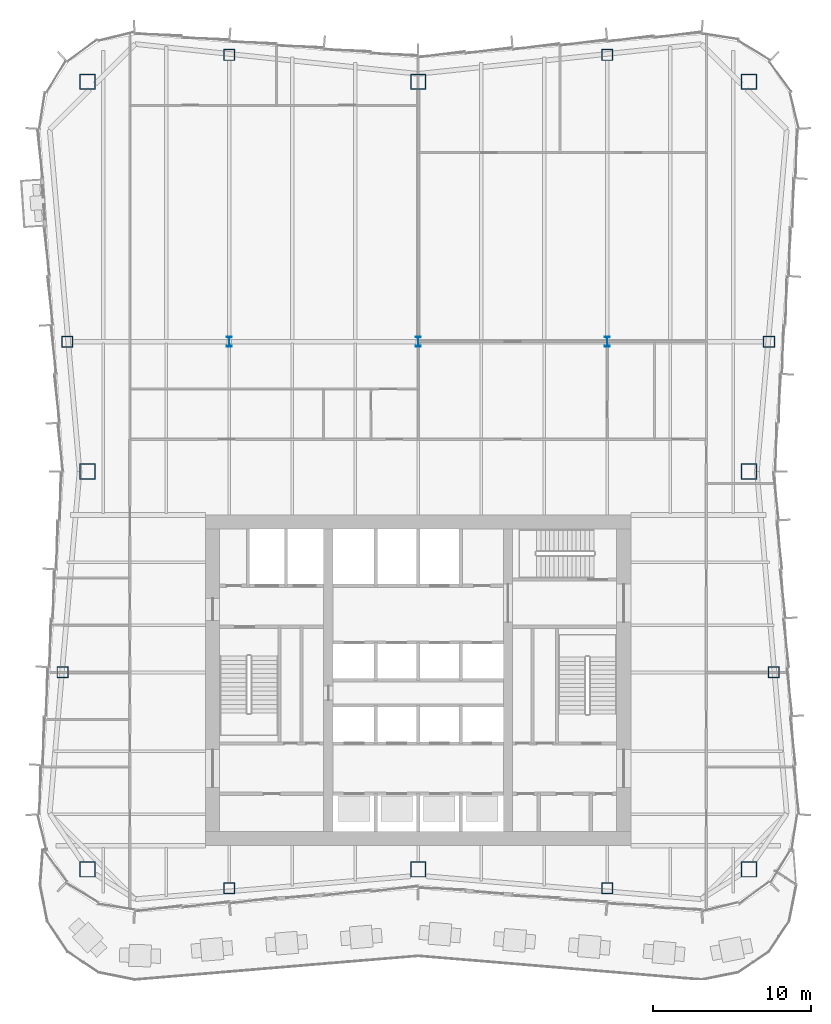
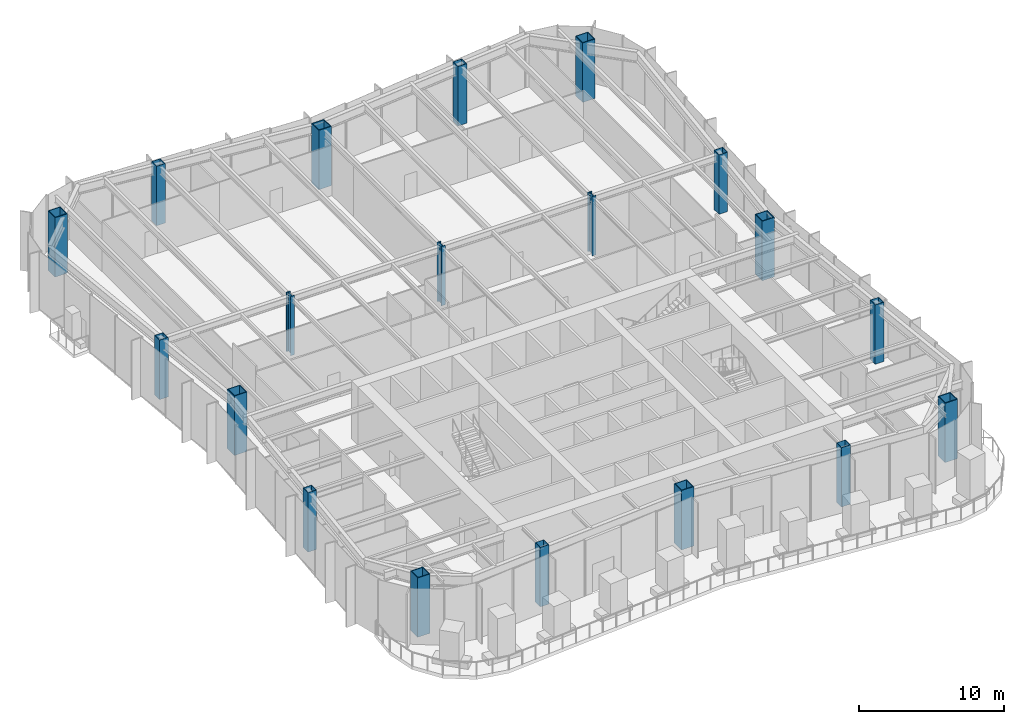
# One storey, part 1 of 16: 19 columns.
"""IFC4 building model written with IfcOpenShell, lengths in metres."""

from ifc_helpers import new_model, si_unit, direction, frame, origin, origin_2d, place, context, subcontext, project, spatial, hollow_rectangle, i_section, extrude, material, material_profile, profile_set, type_object, element, save


model = new_model("IFC4")

# Units and contexts
model_context = context("Model", 3, precision=1e-05, world=origin(), true_north=direction((0.0, 1.0)))
body_context = subcontext(model_context, "Body", "Model", "MODEL_VIEW")
ifc_project = project(units=[si_unit("LENGTHUNIT", "METRE"), si_unit("AREAUNIT", "SQUARE_METRE"), si_unit("VOLUMEUNIT", "CUBIC_METRE"), si_unit("PLANEANGLEUNIT", "RADIAN"), si_unit("MASSUNIT", "GRAM", prefix="KILO")], contexts=[model_context])

# Site, building, storey
site_placement = place(None, origin())
site = spatial("IfcSite", under=ifc_project, at=site_placement, CompositionType="ELEMENT")
building_placement = place(site_placement, origin())
building = spatial("IfcBuilding", under=site, at=building_placement, Name="Verdant Reach Tower", CompositionType="ELEMENT")
storey_placement = place(building_placement, frame((0.0, 0.0, 177.0)))
storey = spatial("IfcBuildingStorey", under=building, at=storey_placement, Name="L40", CompositionType="ELEMENT", Elevation=177.0)

# Columns
ifc_material = material(Name="Steel S460", Category="steel")
ifc_material_profile_1 = material_profile(ifc_material, i_section(OverallWidth=0.304931640625, OverallDepth=0.6201171875, WebThickness=0.02099609375, FlangeThickness=0.0400390625, FilletRadius=0.027099609375, at=origin_2d()), Name="HEM 600")
ifc_profile_set_1 = profile_set([ifc_material_profile_1], Name="Steel S460")
column_type_1 = type_object("IfcColumnType", Name="ST-COL-HEM600", PredefinedType="COLUMN", material=ifc_profile_set_1)
for number, where, z_axis, x_axis, name in (
    (1, (-12.0, 49.5, 0.0), (0.0, 0.0, 1.0), (1.0, 0.0, 0.0), "Interior column 1, L40"),
    (2, (0.0, 49.5, 0.0), (0.0, 0.0, 1.0), (1.0, 0.0, 0.0), "Interior column 2, L40"),
    (3, (12.0, 49.5, 0.0), (0.0, 0.0, 1.0), (1.0, 0.0, 0.0), "Interior column 3, L40"),
):
    element("IfcColumn", number, at=place(storey_placement, frame(where, z_axis=z_axis, x_axis=x_axis)), inside=storey, type_object=column_type_1, Name=name, PredefinedType="COLUMN", context=body_context, shape_type="SweptSolid", body=[
        extrude(i_section(OverallWidth=0.304931640625, OverallDepth=0.6201171875, WebThickness=0.02099609375, FlangeThickness=0.0400390625, FilletRadius=0.027099609375, at=origin_2d()), origin(), (0.0, 0.0, 1.0), 5.0),
    ])
ifc_material_profile_2 = material_profile(ifc_material, hollow_rectangle(XDim=1.0, YDim=1.0, WallThickness=0.06005859375, at=origin_2d()), Name="WB 1000x1000x60")
ifc_profile_set_2 = profile_set([ifc_material_profile_2], Name="Steel S460")
column_type_2 = type_object("IfcColumnType", Name="ST-COL-WB1000x1000x60", PredefinedType="COLUMN", material=ifc_profile_set_2)
for number, where, z_axis, x_axis, name in (
    (4, (-21.0, 66.0, 0.0), (0.0, 0.0, 1.0), (1.0, 0.0, 0.0), "Mega column north-west, L40"),
    (5, (0.0, 66.0, 0.0), (0.0, 0.0, 1.0), (1.0, 0.0, 0.0), "Mega column north, L40"),
    (6, (21.0, 66.0, 0.0), (0.0, 0.0, 1.0), (1.0, 0.0, 0.0), "Mega column north-east, L40"),
    (7, (21.0, 41.25, 0.0), (0.0, 0.0, 1.0), (1.0, 0.0, 0.0), "Mega column east, L40"),
    (8, (21.0, 16.0, 0.0), (0.0, 0.0, 1.0), (1.0, 0.0, 0.0), "Mega column south-east, L40"),
    (9, (0.0, 16.0, 0.0), (0.0, 0.0, 1.0), (1.0, 0.0, 0.0), "Mega column south, L40"),
    (10, (-21.0, 16.0, 0.0), (0.0, 0.0, 1.0), (1.0, 0.0, 0.0), "Mega column south-west, L40"),
    (11, (-21.0, 41.25, 0.0), (0.0, 0.0, 1.0), (1.0, 0.0, 0.0), "Mega column west, L40"),
):
    element("IfcColumn", number, at=place(storey_placement, frame(where, z_axis=z_axis, x_axis=x_axis)), inside=storey, type_object=column_type_2, Name=name, PredefinedType="COLUMN", context=body_context, shape_type="SweptSolid", body=[
        extrude(hollow_rectangle(XDim=1.0, YDim=1.0, WallThickness=0.06005859375, at=origin_2d()), origin(), (0.0, 0.0, 1.0), 5.0),
    ])
ifc_material_profile_3 = material_profile(ifc_material, hollow_rectangle(XDim=0.699951171875, YDim=0.699951171875, WallThickness=0.030029296875, at=origin_2d()), Name="WB 700x700x30")
ifc_profile_set_3 = profile_set([ifc_material_profile_3], Name="Steel S460")
column_type_3 = type_object("IfcColumnType", Name="ST-COL-WB700x700x30", PredefinedType="COLUMN", material=ifc_profile_set_3)
for number, where, z_axis, x_axis, name in (
    (12, (-12.0, 67.699951171875, 0.0), (0.0, 0.0, 1.0), (1.0, 0.0, 0.0), "Perimeter column north 1, L40"),
    (13, (12.0, 67.699951171875, 0.0), (0.0, 0.0, 1.0), (1.0, 0.0, 0.0), "Perimeter column north 2, L40"),
    (14, (-12.0, 14.800048828125, 0.0), (0.0, 0.0, 1.0), (1.0, 0.0, 0.0), "Perimeter column south 1, L40"),
    (15, (12.0, 14.800048828125, 0.0), (0.0, 0.0, 1.0), (1.0, 0.0, 0.0), "Perimeter column south 2, L40"),
    (16, (22.579345703125, 28.5, 0.0), (0.0, 0.0, 1.0), (1.0, 0.0, 0.0), "Perimeter column east 1, L40"),
    (17, (22.26904296875, 49.5, 0.0), (0.0, 0.0, 1.0), (1.0, 0.0, 0.0), "Perimeter column east 2, L40"),
    (18, (-22.579345703125, 28.5, 0.0), (0.0, 0.0, 1.0), (1.0, 0.0, 0.0), "Perimeter column west 1, L40"),
    (19, (-22.26904296875, 49.5, 0.0), (0.0, 0.0, 1.0), (1.0, 0.0, 0.0), "Perimeter column west 2, L40"),
):
    element("IfcColumn", number, at=place(storey_placement, frame(where, z_axis=z_axis, x_axis=x_axis)), inside=storey, type_object=column_type_3, Name=name, PredefinedType="COLUMN", context=body_context, shape_type="SweptSolid", body=[
        extrude(hollow_rectangle(XDim=0.699951171875, YDim=0.699951171875, WallThickness=0.030029296875, at=origin_2d()), origin(), (0.0, 0.0, 1.0), 5.0),
    ])

save(model, "model.ifc")
